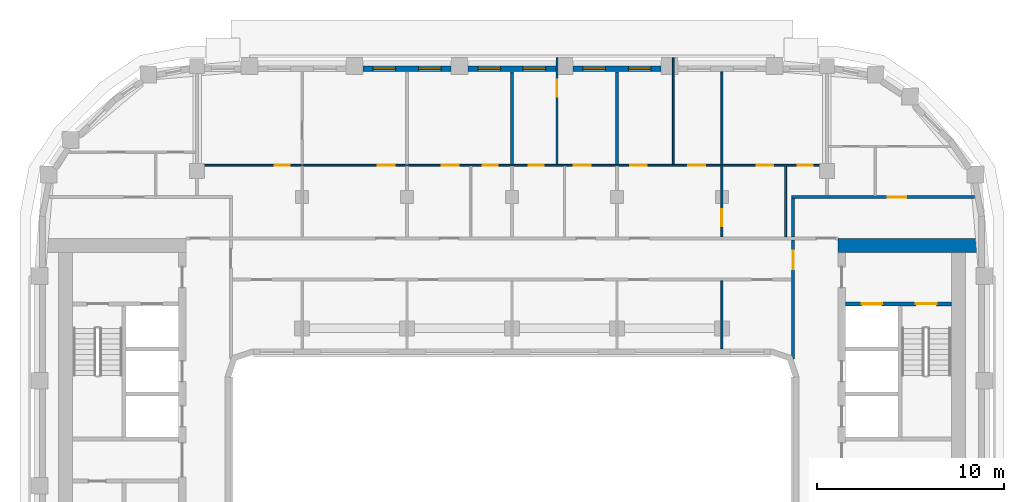
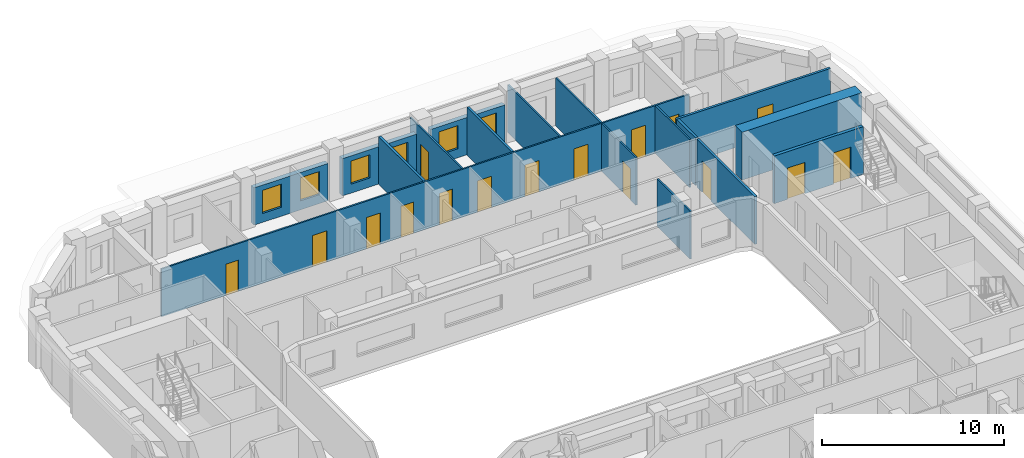
# One storey, part 8 of 21: 17 walls, 16 doors, 6 windows, 22 openings.
"""IFC4 building model written with IfcOpenShell, lengths in metres."""

from ifc_helpers import new_model, si_unit, direction, frame, frame_2d, origin, place, context, subcontext, project, spatial, rectangle, extrude, material, layer, layer_set, type_object, element, fill, save


model = new_model("IFC4")

# Units and contexts
model_context = context("Model", 3, precision=1e-05, world=origin(), true_north=direction((0.0, 1.0)))
body_context = subcontext(model_context, "Body", "Model", "MODEL_VIEW")
ifc_project = project(units=[si_unit("LENGTHUNIT", "METRE"), si_unit("AREAUNIT", "SQUARE_METRE"), si_unit("VOLUMEUNIT", "CUBIC_METRE"), si_unit("PLANEANGLEUNIT", "RADIAN"), si_unit("MASSUNIT", "GRAM", prefix="KILO")], contexts=[model_context])

# Site, building, storey
site_placement = place(None, origin())
site = spatial("IfcSite", under=ifc_project, at=site_placement, CompositionType="ELEMENT")
building_placement = place(site_placement, origin())
building = spatial("IfcBuilding", under=site, at=building_placement, Name="Kiln Ring Residences", CompositionType="ELEMENT")
storey_placement = place(building_placement, frame((0.0, 0.0, 195.89990234375)))
storey = spatial("IfcBuildingStorey", under=building, at=storey_placement, Name="L50", CompositionType="ELEMENT", Elevation=195.89990234375)

# Wall, openings, doors
ifc_material_1 = material(Name="Concrete C40/50", Category="concrete")
ifc_layer_1 = layer(ifc_material_1, 0.199951171875)
ifc_layer_set_1 = layer_set([ifc_layer_1], Name="CORE-WALL-RC200")
wall_type_1 = type_object("IfcWallType", Name="CORE-WALL-RC200", PredefinedType="SHEAR", material=ifc_layer_set_1)
wall_1_placement = place(storey_placement, frame((17.800048828125, 9.699951171875, 0.0), z_axis=(0.0, 0.0, 1.0), x_axis=(1.0, 0.0, 0.0)))
wall_1 = element("IfcWall", 1, at=wall_1_placement, inside=storey, type_object=wall_type_1, Name="Core wall east L50 9", PredefinedType="SHEAR", context=body_context, shape_type="SweptSolid", body=[
    extrude(rectangle(XDim=5.64990234375, YDim=0.199951171875, at=frame_2d((2.824951171875, 0.0))), origin(), (0.0, 0.0, 1.0), 3.2001953125),
])
opening_1_placement = place(wall_1_placement, frame((0.85009765625, 0.0, 0.0)))
opening_1 = element("IfcOpeningElement", 2, at=opening_1_placement, cuts=wall_1, Name="Opening L50-CE06", PredefinedType="OPENING", context=body_context, shape_type="SweptSolid", body=[
    extrude(rectangle(XDim=1.10009765625, YDim=2.10009765625, at=frame_2d((0.550048828125, 1.050048828125))), frame((0.0, 0.10986328125, 0.0), z_axis=(0.0, -1.0, 0.0), x_axis=(1.0, 0.0, 0.0)), (0.0, 0.0, 1.0), 0.219970703125),
])
opening_2_placement = place(wall_1_placement, frame((3.75, 0.0, 0.0)))
opening_2 = element("IfcOpeningElement", 3, at=opening_2_placement, cuts=wall_1, Name="Opening L50-CE09", PredefinedType="OPENING", context=body_context, shape_type="SweptSolid", body=[
    extrude(rectangle(XDim=1.10009765625, YDim=2.10009765625, at=frame_2d((0.550048828125, 1.050048828125))), frame((0.0, 0.10986328125, 0.0), z_axis=(0.0, -1.0, 0.0), x_axis=(1.0, 0.0, 0.0)), (0.0, 0.0, 1.0), 0.219970703125),
])
ifc_material_2 = material(Name="Steel door leaf", Category="steel")
door_type_1 = type_object("IfcDoorType", Name="CORE-DOOR-LD", OperationType="DOUBLE_DOOR_SLIDING", PredefinedType="DOOR", material=ifc_material_2)
door_1_placement = place(opening_1_placement, origin())
door_1 = element("IfcDoor", 4, at=door_1_placement, inside=storey, type_object=door_type_1, Name="LD E-FF L50-CE06", OperationType="DOUBLE_DOOR_SLIDING", OverallHeight=2.10009765625, OverallWidth=1.10009765625, PredefinedType="DOOR", context=body_context, shape_type="SweptSolid", body=[
    extrude(rectangle(XDim=1.10009765625, YDim=2.10009765625, at=frame_2d((0.550048828125, 1.050048828125))), frame((0.0, 0.02490234375, 0.0), z_axis=(0.0, -1.0, 0.0), x_axis=(1.0, 0.0, 0.0)), (0.0, 0.0, 1.0), 0.050048828125),
])
fill(opening_1, door_1)
ifc_material_3 = material(Name="Steel door leaf", Category="steel")
door_type_2 = type_object("IfcDoorType", Name="CORE-DOOR-STAIR", OperationType="SINGLE_SWING_LEFT", PredefinedType="DOOR", material=ifc_material_3)
door_2_placement = place(opening_2_placement, origin())
door_2 = element("IfcDoor", 5, at=door_2_placement, inside=storey, type_object=door_type_2, Name="Stair E-STN L50-CE09", OperationType="SINGLE_SWING_RIGHT", OverallHeight=2.10009765625, OverallWidth=1.10009765625, PredefinedType="DOOR", context=body_context, shape_type="SweptSolid", body=[
    extrude(rectangle(XDim=1.10009765625, YDim=2.10009765625, at=frame_2d((0.550048828125, 1.050048828125))), frame((0.0, 0.02490234375, 0.0), z_axis=(0.0, -1.0, 0.0), x_axis=(1.0, 0.0, 0.0)), (0.0, 0.0, 1.0), 0.050048828125),
])
fill(opening_2, door_2)

# Wall
ifc_material_4 = material(Name="Concrete C60/75", Category="concrete")
ifc_layer_2 = layer(ifc_material_4, 0.75)
ifc_layer_set_2 = layer_set([ifc_layer_2], Name="CORE-WALL-RC750")
wall_type_2 = type_object("IfcWallType", Name="CORE-WALL-RC750", PredefinedType="SHEAR", material=ifc_layer_set_2)
wall_2_placement = place(storey_placement, frame((17.39990234375, 12.824951171875, 0.0), z_axis=(0.0, 0.0, 1.0), x_axis=(1.0, 0.0, 0.0)))
element("IfcWall", 6, at=wall_2_placement, inside=storey, type_object=wall_type_2, Name="Core wall east L50 4", PredefinedType="SHEAR", context=body_context, shape_type="SweptSolid", body=[
    extrude(rectangle(XDim=7.60009765625, YDim=0.75, at=frame_2d((3.800048828125, 0.0))), origin(), (0.0, 0.0, 1.0), 3.2001953125),
])

# Wall, openings, windows
ifc_material_5 = material(Name="Brick masonry, dark clay brick", Category="masonry")
ifc_layer_3 = layer(ifc_material_5, 0.300048828125)
ifc_layer_set_3 = layer_set([ifc_layer_3], Name="EW-300 BRICK WALL")
wall_type_3 = type_object("IfcWallType", Name="EW-300 BRICK WALL", PredefinedType="SOLIDWALL", material=ifc_layer_set_3)
wall_3_placement = place(storey_placement, frame((7.949951171875, 22.25, 0.0), z_axis=(0.0, 0.0, 1.0), x_axis=(-1.0, 0.0, 0.0)))
wall_3 = element("IfcWall", 7, at=wall_3_placement, inside=storey, type_object=wall_type_3, Name="Facade wall L50 29", PredefinedType="SOLIDWALL", context=body_context, shape_type="SweptSolid", body=[
    extrude(rectangle(XDim=4.699951171875, YDim=0.300048828125, at=frame_2d((2.35009765625, 0.0))), origin(), (0.0, 0.0, 1.0), 2.5),
])
opening_3_placement = place(wall_3_placement, frame((0.53759765625, 0.0, 0.60009765625)))
opening_3 = element("IfcOpeningElement", 8, at=opening_3_placement, cuts=wall_3, Name="Opening W1", PredefinedType="OPENING", context=body_context, shape_type="SweptSolid", body=[
    extrude(rectangle(XDim=1.199951171875, YDim=1.550048828125, at=frame_2d((0.60009765625, 0.77490234375))), frame((0.0, 0.159912109375, 0.0), z_axis=(0.0, -1.0, 0.0), x_axis=(1.0, 0.0, 0.0)), (0.0, 0.0, 1.0), 0.320068359375),
])
opening_4_placement = place(wall_3_placement, frame((2.96240234375, 0.0, 0.60009765625)))
opening_4 = element("IfcOpeningElement", 9, at=opening_4_placement, cuts=wall_3, Name="Opening W1", PredefinedType="OPENING", context=body_context, shape_type="SweptSolid", body=[
    extrude(rectangle(XDim=1.199951171875, YDim=1.550048828125, at=frame_2d((0.60009765625, 0.77490234375))), frame((0.0, 0.159912109375, 0.0), z_axis=(0.0, -1.0, 0.0), x_axis=(1.0, 0.0, 0.0)), (0.0, 0.0, 1.0), 0.320068359375),
])
ifc_material_6 = material(Name="Aluminium frame with double glazing", Category="aluminium")
window_type = type_object("IfcWindowType", Name="WINDOW 1200 x 1550", PartitioningType="SINGLE_PANEL", PredefinedType="WINDOW", material=ifc_material_6)
window_1_placement = place(opening_3_placement, origin())
window_1 = element("IfcWindow", 10, at=window_1_placement, inside=storey, type_object=window_type, Name="Window L50 23", OverallHeight=1.550048828125, OverallWidth=1.199951171875, PartitioningType="SINGLE_PANEL", PredefinedType="WINDOW", context=body_context, shape_type="SweptSolid", body=[
    extrude(rectangle(XDim=1.199951171875, YDim=1.550048828125, at=frame_2d((0.60009765625, 0.77490234375))), frame((0.0, 0.030029296875, 0.0), z_axis=(0.0, -1.0, 0.0), x_axis=(1.0, 0.0, 0.0)), (0.0, 0.0, 1.0), 0.06005859375),
])
fill(opening_3, window_1)
window_2_placement = place(opening_4_placement, origin())
window_2 = element("IfcWindow", 11, at=window_2_placement, inside=storey, type_object=window_type, Name="Window L50 24", OverallHeight=1.550048828125, OverallWidth=1.199951171875, PartitioningType="SINGLE_PANEL", PredefinedType="WINDOW", context=body_context, shape_type="SweptSolid", body=[
    extrude(rectangle(XDim=1.199951171875, YDim=1.550048828125, at=frame_2d((0.60009765625, 0.77490234375))), frame((0.0, 0.030029296875, 0.0), z_axis=(0.0, -1.0, 0.0), x_axis=(1.0, 0.0, 0.0)), (0.0, 0.0, 1.0), 0.06005859375),
])
fill(opening_4, window_2)

wall_4_placement = place(storey_placement, frame((2.35009765625, 22.25, 0.0), z_axis=(0.0, 0.0, 1.0), x_axis=(-1.0, 0.0, 0.0)))
wall_4 = element("IfcWall", 12, at=wall_4_placement, inside=storey, type_object=wall_type_3, Name="Facade wall L50 30", PredefinedType="SOLIDWALL", context=body_context, shape_type="SweptSolid", body=[
    extrude(rectangle(XDim=4.7001953125, YDim=0.300048828125, at=frame_2d((2.35009765625, 0.0))), origin(), (0.0, 0.0, 1.0), 2.5),
])
opening_5_placement = place(wall_4_placement, frame((0.550048828125, 0.0, 0.60009765625)))
opening_5 = element("IfcOpeningElement", 13, at=opening_5_placement, cuts=wall_4, Name="Opening W1", PredefinedType="OPENING", context=body_context, shape_type="SweptSolid", body=[
    extrude(rectangle(XDim=1.199951171875, YDim=1.550048828125, at=frame_2d((0.60009765625, 0.77490234375))), frame((0.0, 0.159912109375, 0.0), z_axis=(0.0, -1.0, 0.0), x_axis=(1.0, 0.0, 0.0)), (0.0, 0.0, 1.0), 0.320068359375),
])
opening_6_placement = place(wall_4_placement, frame((2.96240234375, 0.0, 0.60009765625)))
opening_6 = element("IfcOpeningElement", 14, at=opening_6_placement, cuts=wall_4, Name="Opening W1", PredefinedType="OPENING", context=body_context, shape_type="SweptSolid", body=[
    extrude(rectangle(XDim=1.199951171875, YDim=1.550048828125, at=frame_2d((0.60009765625, 0.77490234375))), frame((0.0, 0.159912109375, 0.0), z_axis=(0.0, -1.0, 0.0), x_axis=(1.0, 0.0, 0.0)), (0.0, 0.0, 1.0), 0.320068359375),
])
window_3_placement = place(opening_5_placement, origin())
window_3 = element("IfcWindow", 15, at=window_3_placement, inside=storey, type_object=window_type, Name="Window L50 25", OverallHeight=1.550048828125, OverallWidth=1.199951171875, PartitioningType="SINGLE_PANEL", PredefinedType="WINDOW", context=body_context, shape_type="SweptSolid", body=[
    extrude(rectangle(XDim=1.199951171875, YDim=1.550048828125, at=frame_2d((0.60009765625, 0.77490234375))), frame((0.0, 0.030029296875, 0.0), z_axis=(0.0, -1.0, 0.0), x_axis=(1.0, 0.0, 0.0)), (0.0, 0.0, 1.0), 0.06005859375),
])
fill(opening_5, window_3)
window_4_placement = place(opening_6_placement, origin())
window_4 = element("IfcWindow", 16, at=window_4_placement, inside=storey, type_object=window_type, Name="Window L50 26", OverallHeight=1.550048828125, OverallWidth=1.199951171875, PartitioningType="SINGLE_PANEL", PredefinedType="WINDOW", context=body_context, shape_type="SweptSolid", body=[
    extrude(rectangle(XDim=1.199951171875, YDim=1.550048828125, at=frame_2d((0.60009765625, 0.77490234375))), frame((0.0, 0.030029296875, 0.0), z_axis=(0.0, -1.0, 0.0), x_axis=(1.0, 0.0, 0.0)), (0.0, 0.0, 1.0), 0.06005859375),
])
fill(opening_6, window_4)

wall_5_placement = place(storey_placement, frame((-3.25, 22.25, 0.0), z_axis=(0.0, 0.0, 1.0), x_axis=(-1.0, 0.0, 0.0)))
wall_5 = element("IfcWall", 17, at=wall_5_placement, inside=storey, type_object=wall_type_3, Name="Facade wall L50 31", PredefinedType="SOLIDWALL", context=body_context, shape_type="SweptSolid", body=[
    extrude(rectangle(XDim=4.699951171875, YDim=0.300048828125, at=frame_2d((2.35009765625, 0.0))), origin(), (0.0, 0.0, 1.0), 2.5),
])
opening_7_placement = place(wall_5_placement, frame((0.53759765625, 0.0, 0.60009765625)))
opening_7 = element("IfcOpeningElement", 18, at=opening_7_placement, cuts=wall_5, Name="Opening W1", PredefinedType="OPENING", context=body_context, shape_type="SweptSolid", body=[
    extrude(rectangle(XDim=1.199951171875, YDim=1.550048828125, at=frame_2d((0.60009765625, 0.77490234375))), frame((0.0, 0.159912109375, 0.0), z_axis=(0.0, -1.0, 0.0), x_axis=(1.0, 0.0, 0.0)), (0.0, 0.0, 1.0), 0.320068359375),
])
opening_8_placement = place(wall_5_placement, frame((2.96240234375, 0.0, 0.60009765625)))
opening_8 = element("IfcOpeningElement", 19, at=opening_8_placement, cuts=wall_5, Name="Opening W1", PredefinedType="OPENING", context=body_context, shape_type="SweptSolid", body=[
    extrude(rectangle(XDim=1.199951171875, YDim=1.550048828125, at=frame_2d((0.60009765625, 0.77490234375))), frame((0.0, 0.159912109375, 0.0), z_axis=(0.0, -1.0, 0.0), x_axis=(1.0, 0.0, 0.0)), (0.0, 0.0, 1.0), 0.320068359375),
])
window_5_placement = place(opening_7_placement, origin())
window_5 = element("IfcWindow", 20, at=window_5_placement, inside=storey, type_object=window_type, Name="Window L50 27", OverallHeight=1.550048828125, OverallWidth=1.199951171875, PartitioningType="SINGLE_PANEL", PredefinedType="WINDOW", context=body_context, shape_type="SweptSolid", body=[
    extrude(rectangle(XDim=1.199951171875, YDim=1.550048828125, at=frame_2d((0.60009765625, 0.77490234375))), frame((0.0, 0.030029296875, 0.0), z_axis=(0.0, -1.0, 0.0), x_axis=(1.0, 0.0, 0.0)), (0.0, 0.0, 1.0), 0.06005859375),
])
fill(opening_7, window_5)
window_6_placement = place(opening_8_placement, origin())
window_6 = element("IfcWindow", 21, at=window_6_placement, inside=storey, type_object=window_type, Name="Window L50 28", OverallHeight=1.550048828125, OverallWidth=1.199951171875, PartitioningType="SINGLE_PANEL", PredefinedType="WINDOW", context=body_context, shape_type="SweptSolid", body=[
    extrude(rectangle(XDim=1.199951171875, YDim=1.550048828125, at=frame_2d((0.60009765625, 0.77490234375))), frame((0.0, 0.030029296875, 0.0), z_axis=(0.0, -1.0, 0.0), x_axis=(1.0, 0.0, 0.0)), (0.0, 0.0, 1.0), 0.06005859375),
])
fill(opening_8, window_6)

# Wall, openings, doors
ifc_material_7 = material(Name="Gypsum board on steel studs", Category="steel")
ifc_layer_4 = layer(ifc_material_7, 0.10009765625)
ifc_layer_set_4 = layer_set([ifc_layer_4], Name="PARTITION-100")
wall_type_4 = type_object("IfcWallType", Name="PARTITION-100", PredefinedType="PARTITIONING", material=ifc_layer_set_4)
wall_6_placement = place(storey_placement, frame((-16.72509765625, 17.10009765625, 0.0), z_axis=(0.0, 0.0, 1.0), x_axis=(1.0, 0.0, 0.0)))
wall_6 = element("IfcWall", 22, at=wall_6_placement, inside=storey, type_object=wall_type_4, Name="Partition 011", PredefinedType="PARTITIONING", context=body_context, shape_type="SweptSolid", body=[
    extrude(rectangle(XDim=33.4501953125, YDim=0.10009765625, at=frame_2d((16.72509765625, 0.0))), origin(), (0.0, 0.0, 1.0), 3.2001953125),
])
opening_9_placement = place(wall_6_placement, frame((4.074951171875, 0.0, 0.0)))
opening_9 = element("IfcOpeningElement", 23, at=opening_9_placement, cuts=wall_6, Name="Opening L50-D016", PredefinedType="OPENING", context=body_context, shape_type="SweptSolid", body=[
    extrude(rectangle(XDim=0.800048828125, YDim=2.10009765625, at=frame_2d((0.39990234375, 1.050048828125))), frame((0.0, 0.06005859375, 0.0), z_axis=(0.0, -1.0, 0.0), x_axis=(1.0, 0.0, 0.0)), (0.0, 0.0, 1.0), 0.1201171875),
])
opening_10_placement = place(wall_6_placement, frame((9.574951171875, 0.0, 0.0)))
opening_10 = element("IfcOpeningElement", 24, at=opening_10_placement, cuts=wall_6, Name="Opening L50-D017", PredefinedType="OPENING", context=body_context, shape_type="SweptSolid", body=[
    extrude(rectangle(XDim=0.89990234375, YDim=2.10009765625, at=frame_2d((0.449951171875, 1.050048828125))), frame((0.0, 0.06005859375, 0.0), z_axis=(0.0, -1.0, 0.0), x_axis=(1.0, 0.0, 0.0)), (0.0, 0.0, 1.0), 0.1201171875),
])
opening_11_placement = place(wall_6_placement, frame((15.175048828125, 0.0, 0.0)))
opening_11 = element("IfcOpeningElement", 25, at=opening_11_placement, cuts=wall_6, Name="Opening L50-D020", PredefinedType="OPENING", context=body_context, shape_type="SweptSolid", body=[
    extrude(rectangle(XDim=0.800048828125, YDim=2.10009765625, at=frame_2d((0.39990234375, 1.050048828125))), frame((0.0, 0.06005859375, 0.0), z_axis=(0.0, -1.0, 0.0), x_axis=(1.0, 0.0, 0.0)), (0.0, 0.0, 1.0), 0.1201171875),
])
opening_12_placement = place(wall_6_placement, frame((12.97509765625, 0.0, 0.0)))
opening_12 = element("IfcOpeningElement", 26, at=opening_12_placement, cuts=wall_6, Name="Opening L50-D021", PredefinedType="OPENING", context=body_context, shape_type="SweptSolid", body=[
    extrude(rectangle(XDim=0.89990234375, YDim=2.10009765625, at=frame_2d((0.449951171875, 1.050048828125))), frame((0.0, 0.06005859375, 0.0), z_axis=(0.0, -1.0, 0.0), x_axis=(1.0, 0.0, 0.0)), (0.0, 0.0, 1.0), 0.1201171875),
])
opening_13_placement = place(wall_6_placement, frame((17.625, 0.0, 0.0)))
opening_13 = element("IfcOpeningElement", 27, at=opening_13_placement, cuts=wall_6, Name="Opening L50-D023", PredefinedType="OPENING", context=body_context, shape_type="SweptSolid", body=[
    extrude(rectangle(XDim=0.800048828125, YDim=2.10009765625, at=frame_2d((0.39990234375, 1.050048828125))), frame((0.0, 0.06005859375, 0.0), z_axis=(0.0, -1.0, 0.0), x_axis=(1.0, 0.0, 0.0)), (0.0, 0.0, 1.0), 0.1201171875),
])
opening_14_placement = place(wall_6_placement, frame((20.02490234375, 0.0, 0.0)))
opening_14 = element("IfcOpeningElement", 28, at=opening_14_placement, cuts=wall_6, Name="Opening L50-D024", PredefinedType="OPENING", context=body_context, shape_type="SweptSolid", body=[
    extrude(rectangle(XDim=0.89990234375, YDim=2.10009765625, at=frame_2d((0.449951171875, 1.050048828125))), frame((0.0, 0.06005859375, 0.0), z_axis=(0.0, -1.0, 0.0), x_axis=(1.0, 0.0, 0.0)), (0.0, 0.0, 1.0), 0.1201171875),
])
opening_15_placement = place(wall_6_placement, frame((31.97509765625, 0.0, 0.0)))
opening_15 = element("IfcOpeningElement", 29, at=opening_15_placement, cuts=wall_6, Name="Opening L50-D028", PredefinedType="OPENING", context=body_context, shape_type="SweptSolid", body=[
    extrude(rectangle(XDim=0.800048828125, YDim=2.10009765625, at=frame_2d((0.39990234375, 1.050048828125))), frame((0.0, 0.06005859375, 0.0), z_axis=(0.0, -1.0, 0.0), x_axis=(1.0, 0.0, 0.0)), (0.0, 0.0, 1.0), 0.1201171875),
])
opening_16_placement = place(wall_6_placement, frame((29.77490234375, 0.0, 0.0)))
opening_16 = element("IfcOpeningElement", 30, at=opening_16_placement, cuts=wall_6, Name="Opening L50-D029", PredefinedType="OPENING", context=body_context, shape_type="SweptSolid", body=[
    extrude(rectangle(XDim=0.89990234375, YDim=2.10009765625, at=frame_2d((0.449951171875, 1.050048828125))), frame((0.0, 0.06005859375, 0.0), z_axis=(0.0, -1.0, 0.0), x_axis=(1.0, 0.0, 0.0)), (0.0, 0.0, 1.0), 0.1201171875),
])
opening_17_placement = place(wall_6_placement, frame((23.02490234375, 0.0, 0.0)))
opening_17 = element("IfcOpeningElement", 31, at=opening_17_placement, cuts=wall_6, Name="Opening L50-D030", PredefinedType="OPENING", context=body_context, shape_type="SweptSolid", body=[
    extrude(rectangle(XDim=0.89990234375, YDim=2.10009765625, at=frame_2d((0.449951171875, 1.050048828125))), frame((0.0, 0.06005859375, 0.0), z_axis=(0.0, -1.0, 0.0), x_axis=(1.0, 0.0, 0.0)), (0.0, 0.0, 1.0), 0.1201171875),
])
opening_18_placement = place(wall_6_placement, frame((26.125, 0.0, 0.0)))
opening_18 = element("IfcOpeningElement", 32, at=opening_18_placement, cuts=wall_6, Name="Opening L50-D031", PredefinedType="OPENING", context=body_context, shape_type="SweptSolid", body=[
    extrude(rectangle(XDim=0.89990234375, YDim=2.10009765625, at=frame_2d((0.449951171875, 1.050048828125))), frame((0.0, 0.06005859375, 0.0), z_axis=(0.0, -1.0, 0.0), x_axis=(1.0, 0.0, 0.0)), (0.0, 0.0, 1.0), 0.1201171875),
])
ifc_material_8 = material(Name="Timber door leaf", Category="wood")
door_type_3 = type_object("IfcDoorType", Name="FLAT-DOOR-800-PL", OperationType="SINGLE_SWING_LEFT", PredefinedType="DOOR", material=ifc_material_8)
door_3_placement = place(opening_9_placement, origin())
door_3 = element("IfcDoor", 33, at=door_3_placement, inside=storey, type_object=door_type_3, Name="Door L50-D016", OperationType="SINGLE_SWING_RIGHT", OverallHeight=2.10009765625, OverallWidth=0.800048828125, PredefinedType="DOOR", context=body_context, shape_type="SweptSolid", body=[
    extrude(rectangle(XDim=0.800048828125, YDim=2.10009765625, at=frame_2d((0.39990234375, 1.050048828125))), frame((0.0, 0.02490234375, 0.0), z_axis=(0.0, -1.0, 0.0), x_axis=(1.0, 0.0, 0.0)), (0.0, 0.0, 1.0), 0.050048828125),
])
fill(opening_9, door_3)
door_4_placement = place(opening_11_placement, origin())
door_4 = element("IfcDoor", 34, at=door_4_placement, inside=storey, type_object=door_type_3, Name="Door L50-D020", OperationType="SINGLE_SWING_RIGHT", OverallHeight=2.10009765625, OverallWidth=0.800048828125, PredefinedType="DOOR", context=body_context, shape_type="SweptSolid", body=[
    extrude(rectangle(XDim=0.800048828125, YDim=2.10009765625, at=frame_2d((0.39990234375, 1.050048828125))), frame((0.0, 0.02490234375, 0.0), z_axis=(0.0, -1.0, 0.0), x_axis=(1.0, 0.0, 0.0)), (0.0, 0.0, 1.0), 0.050048828125),
])
fill(opening_11, door_4)
door_5_placement = place(opening_13_placement, origin())
door_5 = element("IfcDoor", 35, at=door_5_placement, inside=storey, type_object=door_type_3, Name="Door L50-D023", OperationType="SINGLE_SWING_LEFT", OverallHeight=2.10009765625, OverallWidth=0.800048828125, PredefinedType="DOOR", context=body_context, shape_type="SweptSolid", body=[
    extrude(rectangle(XDim=0.800048828125, YDim=2.10009765625, at=frame_2d((0.39990234375, 1.050048828125))), frame((0.0, 0.02490234375, 0.0), z_axis=(0.0, -1.0, 0.0), x_axis=(1.0, 0.0, 0.0)), (0.0, 0.0, 1.0), 0.050048828125),
])
fill(opening_13, door_5)
door_6_placement = place(opening_15_placement, origin())
door_6 = element("IfcDoor", 36, at=door_6_placement, inside=storey, type_object=door_type_3, Name="Door L50-D028", OperationType="SINGLE_SWING_RIGHT", OverallHeight=2.10009765625, OverallWidth=0.800048828125, PredefinedType="DOOR", context=body_context, shape_type="SweptSolid", body=[
    extrude(rectangle(XDim=0.800048828125, YDim=2.10009765625, at=frame_2d((0.39990234375, 1.050048828125))), frame((0.0, 0.02490234375, 0.0), z_axis=(0.0, -1.0, 0.0), x_axis=(1.0, 0.0, 0.0)), (0.0, 0.0, 1.0), 0.050048828125),
])
fill(opening_15, door_6)
ifc_material_9 = material(Name="Timber door leaf", Category="wood")
door_type_4 = type_object("IfcDoorType", Name="FLAT-DOOR-900-PL", OperationType="SINGLE_SWING_LEFT", PredefinedType="DOOR", material=ifc_material_9)
door_7_placement = place(opening_10_placement, origin())
door_7 = element("IfcDoor", 37, at=door_7_placement, inside=storey, type_object=door_type_4, Name="Door L50-D017", OperationType="SINGLE_SWING_LEFT", OverallHeight=2.10009765625, OverallWidth=0.89990234375, PredefinedType="DOOR", context=body_context, shape_type="SweptSolid", body=[
    extrude(rectangle(XDim=0.89990234375, YDim=2.10009765625, at=frame_2d((0.449951171875, 1.050048828125))), frame((0.0, 0.02490234375, 0.0), z_axis=(0.0, -1.0, 0.0), x_axis=(1.0, 0.0, 0.0)), (0.0, 0.0, 1.0), 0.050048828125),
])
fill(opening_10, door_7)
door_8_placement = place(opening_12_placement, origin())
door_8 = element("IfcDoor", 38, at=door_8_placement, inside=storey, type_object=door_type_4, Name="Door L50-D021", OperationType="SINGLE_SWING_LEFT", OverallHeight=2.10009765625, OverallWidth=0.89990234375, PredefinedType="DOOR", context=body_context, shape_type="SweptSolid", body=[
    extrude(rectangle(XDim=0.89990234375, YDim=2.10009765625, at=frame_2d((0.449951171875, 1.050048828125))), frame((0.0, 0.02490234375, 0.0), z_axis=(0.0, -1.0, 0.0), x_axis=(1.0, 0.0, 0.0)), (0.0, 0.0, 1.0), 0.050048828125),
])
fill(opening_12, door_8)
door_9_placement = place(opening_14_placement, origin())
door_9 = element("IfcDoor", 39, at=door_9_placement, inside=storey, type_object=door_type_4, Name="Door L50-D024", OperationType="SINGLE_SWING_RIGHT", OverallHeight=2.10009765625, OverallWidth=0.89990234375, PredefinedType="DOOR", context=body_context, shape_type="SweptSolid", body=[
    extrude(rectangle(XDim=0.89990234375, YDim=2.10009765625, at=frame_2d((0.449951171875, 1.050048828125))), frame((0.0, 0.02490234375, 0.0), z_axis=(0.0, -1.0, 0.0), x_axis=(1.0, 0.0, 0.0)), (0.0, 0.0, 1.0), 0.050048828125),
])
fill(opening_14, door_9)
door_10_placement = place(opening_16_placement, origin())
door_10 = element("IfcDoor", 40, at=door_10_placement, inside=storey, type_object=door_type_4, Name="Door L50-D029", OperationType="SINGLE_SWING_LEFT", OverallHeight=2.10009765625, OverallWidth=0.89990234375, PredefinedType="DOOR", context=body_context, shape_type="SweptSolid", body=[
    extrude(rectangle(XDim=0.89990234375, YDim=2.10009765625, at=frame_2d((0.449951171875, 1.050048828125))), frame((0.0, 0.02490234375, 0.0), z_axis=(0.0, -1.0, 0.0), x_axis=(1.0, 0.0, 0.0)), (0.0, 0.0, 1.0), 0.050048828125),
])
fill(opening_16, door_10)
door_11_placement = place(opening_17_placement, origin())
door_11 = element("IfcDoor", 41, at=door_11_placement, inside=storey, type_object=door_type_4, Name="Door L50-D030", OperationType="SINGLE_SWING_RIGHT", OverallHeight=2.10009765625, OverallWidth=0.89990234375, PredefinedType="DOOR", context=body_context, shape_type="SweptSolid", body=[
    extrude(rectangle(XDim=0.89990234375, YDim=2.10009765625, at=frame_2d((0.449951171875, 1.050048828125))), frame((0.0, 0.02490234375, 0.0), z_axis=(0.0, -1.0, 0.0), x_axis=(1.0, 0.0, 0.0)), (0.0, 0.0, 1.0), 0.050048828125),
])
fill(opening_17, door_11)
door_12_placement = place(opening_18_placement, origin())
door_12 = element("IfcDoor", 42, at=door_12_placement, inside=storey, type_object=door_type_4, Name="Door L50-D031", OperationType="SINGLE_SWING_LEFT", OverallHeight=2.10009765625, OverallWidth=0.89990234375, PredefinedType="DOOR", context=body_context, shape_type="SweptSolid", body=[
    extrude(rectangle(XDim=0.89990234375, YDim=2.10009765625, at=frame_2d((0.449951171875, 1.050048828125))), frame((0.0, 0.02490234375, 0.0), z_axis=(0.0, -1.0, 0.0), x_axis=(1.0, 0.0, 0.0)), (0.0, 0.0, 1.0), 0.050048828125),
])
fill(opening_18, door_12)

# Wall, opening, door
wall_7_placement = place(storey_placement, frame((2.39990234375, 17.14990234375, 0.0), z_axis=(0.0, 0.0, 1.0), x_axis=(0.0, 1.0, 0.0)))
wall_7 = element("IfcWall", 43, at=wall_7_placement, inside=storey, type_object=wall_type_4, Name="Partition 044", PredefinedType="PARTITIONING", context=body_context, shape_type="SweptSolid", body=[
    extrude(rectangle(XDim=5.68017578125, YDim=0.10009765625, at=frame_2d((2.840087890625, 0.0))), origin(), (0.0, 0.0, 1.0), 3.2001953125),
])
opening_19_placement = place(wall_7_placement, frame((3.610107421875, 0.0, 0.0)))
opening_19 = element("IfcOpeningElement", 44, at=opening_19_placement, cuts=wall_7, Name="Opening L50-D025", PredefinedType="OPENING", context=body_context, shape_type="SweptSolid", body=[
    extrude(rectangle(XDim=0.89990234375, YDim=2.10009765625, at=frame_2d((0.449951171875, 1.050048828125))), frame((0.0, 0.06005859375, 0.0), z_axis=(0.0, -1.0, 0.0), x_axis=(1.0, 0.0, 0.0)), (0.0, 0.0, 1.0), 0.1201171875),
])
door_13_placement = place(opening_19_placement, origin())
door_13 = element("IfcDoor", 45, at=door_13_placement, inside=storey, type_object=door_type_4, Name="Door L50-D025", OperationType="SINGLE_SWING_LEFT", OverallHeight=2.10009765625, OverallWidth=0.89990234375, PredefinedType="DOOR", context=body_context, shape_type="SweptSolid", body=[
    extrude(rectangle(XDim=0.89990234375, YDim=2.10009765625, at=frame_2d((0.449951171875, 1.050048828125))), frame((0.0, 0.02490234375, 0.0), z_axis=(0.0, -1.0, 0.0), x_axis=(1.0, 0.0, 0.0)), (0.0, 0.0, 1.0), 0.050048828125),
])
fill(opening_19, door_13)

# Walls
wall_8_placement = place(storey_placement, frame((8.60009765625, 17.14990234375, 0.0), z_axis=(0.0, 0.0, 1.0), x_axis=(0.0, 1.0, 0.0)))
element("IfcWall", 46, at=wall_8_placement, inside=storey, type_object=wall_type_4, Name="Partition 054", PredefinedType="PARTITIONING", context=body_context, shape_type="SweptSolid", body=[
    extrude(rectangle(XDim=5.68017578125, YDim=0.10009765625, at=frame_2d((2.840087890625, 0.0))), origin(), (0.0, 0.0, 1.0), 3.2001953125),
])
wall_9_placement = place(storey_placement, frame((11.199951171875, 7.320068359375, 0.0), z_axis=(0.0, 0.0, 1.0), x_axis=(0.0, 1.0, 0.0)))
element("IfcWall", 47, at=wall_9_placement, inside=storey, type_object=wall_type_4, Name="Partition 056", PredefinedType="PARTITIONING", context=body_context, shape_type="SweptSolid", body=[
    extrude(rectangle(XDim=3.60498046875, YDim=0.10009765625, at=frame_2d((1.802490234375, 0.0))), origin(), (0.0, 0.0, 1.0), 3.2001953125),
])

# Wall, opening, door
wall_10_placement = place(storey_placement, frame((11.199951171875, 13.27490234375, 0.0), z_axis=(0.0, 0.0, 1.0), x_axis=(0.0, 1.0, 0.0)))
wall_10 = element("IfcWall", 48, at=wall_10_placement, inside=storey, type_object=wall_type_4, Name="Partition 057", PredefinedType="PARTITIONING", context=body_context, shape_type="SweptSolid", body=[
    extrude(rectangle(XDim=3.775146484375, YDim=0.10009765625, at=frame_2d((1.8876953125, 0.0))), origin(), (0.0, 0.0, 1.0), 3.2001953125),
])
opening_20_placement = place(wall_10_placement, frame((0.575927734375, 0.0, 0.0)))
opening_20 = element("IfcOpeningElement", 49, at=opening_20_placement, cuts=wall_10, Name="Opening L50-D027", PredefinedType="OPENING", context=body_context, shape_type="SweptSolid", body=[
    extrude(rectangle(XDim=0.89990234375, YDim=2.10009765625, at=frame_2d((0.449951171875, 1.050048828125))), frame((0.0, 0.06005859375, 0.0), z_axis=(0.0, -1.0, 0.0), x_axis=(1.0, 0.0, 0.0)), (0.0, 0.0, 1.0), 0.1201171875),
])
door_14_placement = place(opening_20_placement, origin())
door_14 = element("IfcDoor", 50, at=door_14_placement, inside=storey, type_object=door_type_4, Name="Door L50-D027", OperationType="SINGLE_SWING_LEFT", OverallHeight=2.10009765625, OverallWidth=0.89990234375, PredefinedType="DOOR", context=body_context, shape_type="SweptSolid", body=[
    extrude(rectangle(XDim=0.89990234375, YDim=2.10009765625, at=frame_2d((0.449951171875, 1.050048828125))), frame((0.0, 0.02490234375, 0.0), z_axis=(0.0, -1.0, 0.0), x_axis=(1.0, 0.0, 0.0)), (0.0, 0.0, 1.0), 0.050048828125),
])
fill(opening_20, door_14)

# Walls
wall_11_placement = place(storey_placement, frame((11.199951171875, 17.14990234375, 0.0), z_axis=(0.0, 0.0, 1.0), x_axis=(0.0, 1.0, 0.0)))
element("IfcWall", 51, at=wall_11_placement, inside=storey, type_object=wall_type_4, Name="Partition 058", PredefinedType="PARTITIONING", context=body_context, shape_type="SweptSolid", body=[
    extrude(rectangle(XDim=4.93017578125, YDim=0.10009765625, at=frame_2d((2.465087890625, 0.0))), origin(), (0.0, 0.0, 1.0), 3.2001953125),
])
wall_12_placement = place(storey_placement, frame((14.60009765625, 13.27490234375, 0.0), z_axis=(0.0, 0.0, 1.0), x_axis=(0.0, 1.0, 0.0)))
element("IfcWall", 52, at=wall_12_placement, inside=storey, type_object=wall_type_4, Name="Partition 063", PredefinedType="PARTITIONING", context=body_context, shape_type="SweptSolid", body=[
    extrude(rectangle(XDim=3.775146484375, YDim=0.10009765625, at=frame_2d((1.8876953125, 0.0))), origin(), (0.0, 0.0, 1.0), 3.2001953125),
])

# Wall, opening, door
ifc_material_10 = material(Name="Brick masonry partition", Category="masonry")
ifc_layer_5 = layer(ifc_material_10, 0.14990234375)
ifc_layer_set_5 = layer_set([ifc_layer_5], Name="PARTITION-150-ei60")
wall_type_5 = type_object("IfcWallType", Name="PARTITION-150-ei60", PredefinedType="PARTITIONING", material=ifc_layer_set_5)
wall_13_placement = place(storey_placement, frame((14.925048828125, 15.39990234375, 0.0), z_axis=(0.0, 0.0, 1.0), x_axis=(1.0, 0.0, 0.0)))
wall_13 = element("IfcWall", 53, at=wall_13_placement, inside=storey, type_object=wall_type_5, Name="Partition 010", PredefinedType="PARTITIONING", context=body_context, shape_type="SweptSolid", body=[
    extrude(rectangle(XDim=9.7587890625, YDim=0.14990234375, at=frame_2d((4.87939453125, 0.0))), origin(), (0.0, 0.0, 1.0), 3.2001953125),
])
opening_21_placement = place(wall_13_placement, frame((5.115966796875, 0.0, 0.0)))
opening_21 = element("IfcOpeningElement", 54, at=opening_21_placement, cuts=wall_13, Name="Opening L50-D032", PredefinedType="OPENING", context=body_context, shape_type="SweptSolid", body=[
    extrude(rectangle(XDim=1.0, YDim=2.10009765625, at=frame_2d((0.5, 1.050048828125))), frame((0.0, 0.0849609375, 0.0), z_axis=(0.0, -1.0, 0.0), x_axis=(1.0, 0.0, 0.0)), (0.0, 0.0, 1.0), 0.169921875),
])
ifc_material_11 = material(Name="Steel faced fire door leaf", Category="steel")
door_type_5 = type_object("IfcDoorType", Name="FLAT-DOOR-1000-FR", OperationType="SINGLE_SWING_LEFT", PredefinedType="DOOR", material=ifc_material_11)
door_15_placement = place(opening_21_placement, origin())
door_15 = element("IfcDoor", 55, at=door_15_placement, inside=storey, type_object=door_type_5, Name="Door L50-D032", OperationType="SINGLE_SWING_RIGHT", OverallHeight=2.10009765625, OverallWidth=1.0, PredefinedType="DOOR", context=body_context, shape_type="SweptSolid", body=[
    extrude(rectangle(XDim=1.0, YDim=2.10009765625, at=frame_2d((0.5, 1.050048828125))), frame((0.0, 0.02490234375, 0.0), z_axis=(0.0, -1.0, 0.0), x_axis=(1.0, 0.0, 0.0)), (0.0, 0.0, 1.0), 0.050048828125),
])
fill(opening_21, door_15)

# Walls
for number, where, z_axis, x_axis, name in (
    (56, (0.0, 17.14990234375, 0.0), (0.0, 0.0, 1.0), (0.0, 1.0, 0.0), "Partition 043"),
    (57, (5.60009765625, 17.14990234375, 0.0), (0.0, 0.0, 1.0), (0.0, 1.0, 0.0), "Partition 052"),
):
    element("IfcWall", number, at=place(storey_placement, frame(where, z_axis=z_axis, x_axis=x_axis)), inside=storey, type_object=wall_type_5, Name=name, PredefinedType="PARTITIONING", context=body_context, shape_type="SweptSolid", body=[
        extrude(rectangle(XDim=4.93017578125, YDim=0.14990234375, at=frame_2d((2.465087890625, 0.0))), origin(), (0.0, 0.0, 1.0), 3.2001953125),
    ])

# Wall, opening, door
wall_14_placement = place(storey_placement, frame((15.0, 6.768798828125, 0.0), z_axis=(0.0, 0.0, 1.0), x_axis=(0.0, 1.0, 0.0)))
wall_14 = element("IfcWall", 58, at=wall_14_placement, inside=storey, type_object=wall_type_5, Name="Partition 066", PredefinedType="PARTITIONING", context=body_context, shape_type="SweptSolid", body=[
    extrude(rectangle(XDim=6.356201171875, YDim=0.14990234375, at=frame_2d((3.17822265625, 0.0))), origin(), (0.0, 0.0, 1.0), 3.2001953125),
])
opening_22_placement = place(wall_14_placement, frame((4.78125, 0.0, 0.0)))
opening_22 = element("IfcOpeningElement", 59, at=opening_22_placement, cuts=wall_14, Name="Opening L50-D002", PredefinedType="OPENING", context=body_context, shape_type="SweptSolid", body=[
    extrude(rectangle(XDim=1.0, YDim=2.10009765625, at=frame_2d((0.5, 1.050048828125))), frame((0.0, 0.0849609375, 0.0), z_axis=(0.0, -1.0, 0.0), x_axis=(1.0, 0.0, 0.0)), (0.0, 0.0, 1.0), 0.169921875),
])
door_16_placement = place(opening_22_placement, origin())
door_16 = element("IfcDoor", 60, at=door_16_placement, inside=storey, type_object=door_type_5, Name="Door L50-D002", OperationType="SINGLE_SWING_LEFT", OverallHeight=2.10009765625, OverallWidth=1.0, PredefinedType="DOOR", context=body_context, shape_type="SweptSolid", body=[
    extrude(rectangle(XDim=1.0, YDim=2.10009765625, at=frame_2d((0.5, 1.050048828125))), frame((0.0, 0.02490234375, 0.0), z_axis=(0.0, -1.0, 0.0), x_axis=(1.0, 0.0, 0.0)), (0.0, 0.0, 1.0), 0.050048828125),
])
fill(opening_22, door_16)

# Wall
wall_15_placement = place(storey_placement, frame((15.0, 13.27490234375, 0.0), z_axis=(0.0, 0.0, 1.0), x_axis=(0.0, 1.0, 0.0)))
element("IfcWall", 61, at=wall_15_placement, inside=storey, type_object=wall_type_5, Name="Partition 067", PredefinedType="PARTITIONING", context=body_context, shape_type="SweptSolid", body=[
    extrude(rectangle(XDim=2.050048828125, YDim=0.14990234375, at=frame_2d((1.02490234375, 0.0))), origin(), (0.0, 0.0, 1.0), 3.2001953125),
])

save(model, "model.ifc")
